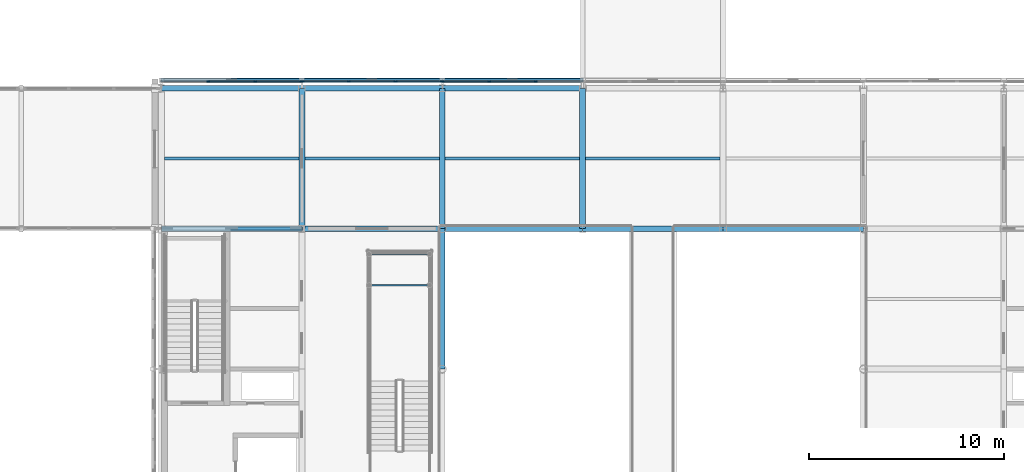
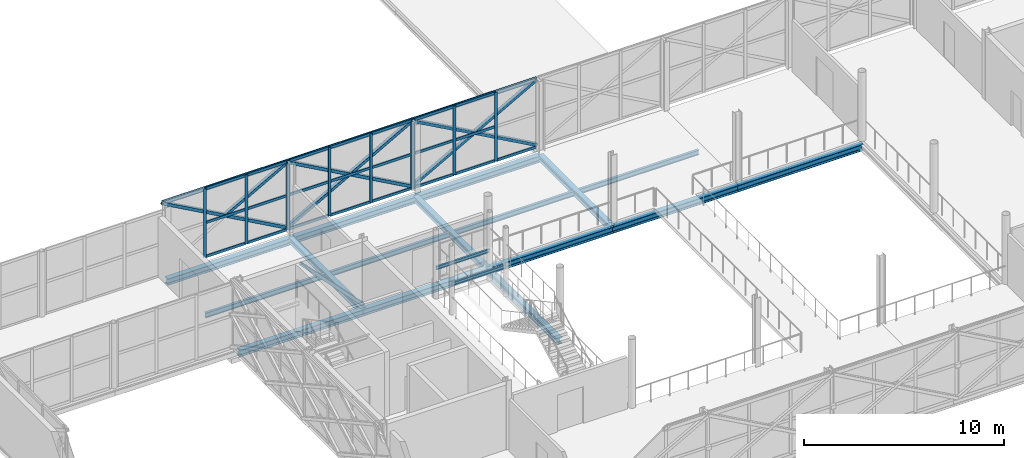
# One storey, part 33 of 126: 44 members, 18 beams, 3 elements without a shape of their own.
"""IFC4 building model written with IfcOpenShell, lengths in metres."""

from ifc_helpers import new_model, si_unit, direction, frame, origin, origin_2d, place, context, subcontext, project, spatial, rectangle, hollow_rectangle, i_section, extrude, material, material_profile, profile_set, type_object, element, aggregate, save


model = new_model("IFC4")

# Units and contexts
model_context = context("Model", 3, precision=1e-05, world=origin(), true_north=direction((0.0, 1.0)))
body_context = subcontext(model_context, "Body", "Model", "MODEL_VIEW")
ifc_project = project(units=[si_unit("LENGTHUNIT", "METRE"), si_unit("AREAUNIT", "SQUARE_METRE"), si_unit("VOLUMEUNIT", "CUBIC_METRE"), si_unit("PLANEANGLEUNIT", "RADIAN"), si_unit("MASSUNIT", "GRAM", prefix="KILO")], contexts=[model_context])

# Site, building, storey
site_placement = place(None, origin())
site = spatial("IfcSite", under=ifc_project, at=site_placement, CompositionType="ELEMENT")
building_placement = place(site_placement, origin())
building = spatial("IfcBuilding", under=site, at=building_placement, Name="Zlatovets Crest Museum", CompositionType="ELEMENT")
storey_placement = place(building_placement, frame((0.0, 0.0, 8.699951171875)))
storey = spatial("IfcBuildingStorey", under=building, at=storey_placement, Name="L02", CompositionType="ELEMENT", Elevation=8.699951171875)

# Beams
ifc_material_1 = material(Name="Structural steel S355J2", Category="steel")
ifc_material_profile_1 = material_profile(ifc_material_1, i_section(OverallWidth=0.300048828125, OverallDepth=0.389892578125, WebThickness=0.010986328125, FlangeThickness=0.01904296875, FilletRadius=0.027099609375, at=origin_2d()), Name="HEA 400")
ifc_profile_set_1 = profile_set([ifc_material_profile_1], Name="Structural steel S355J2")
beam_type_1 = type_object("IfcBeamType", Name="Beam_B-02", PredefinedType="BEAM", material=ifc_profile_set_1)
for number, where, z_axis, x_axis, name in (
    (1, (57.60009765625, 21.60009765625, -0.4150390625), (1.0, 0.0, 0.0), (0.0, 1.0, 0.0), "V2 L02 Primary Girder B-02"),
    (2, (64.800048828125, 21.60009765625, -0.4150390625), (1.0, 0.0, 0.0), (0.0, 1.0, 0.0), "V2 L02 Primary Girder B-02"),
    (3, (72.0, 21.60009765625, -0.4150390625), (1.0, 0.0, 0.0), (0.0, 1.0, 0.0), "V2 L02 Primary Girder B-02"),
    (4, (79.199951171875, 21.60009765625, -0.4150390625), (1.0, 0.0, 0.0), (0.0, 1.0, 0.0), "V2 L02 Primary Girder B-02"),
):
    element("IfcBeam", number, at=place(storey_placement, frame(where, z_axis=z_axis, x_axis=x_axis)), inside=storey, type_object=beam_type_1, Name=name, PredefinedType="BEAM", context=body_context, shape_type="SweptSolid", body=[
        extrude(i_section(OverallWidth=0.300048828125, OverallDepth=0.389892578125, WebThickness=0.010986328125, FlangeThickness=0.01904296875, FilletRadius=0.027099609375, at=origin_2d()), origin(), (0.0, 0.0, 1.0), 7.199951171875),
    ])
beam_1_placement = place(storey_placement, frame((86.39990234375, 21.60009765625, -0.4150390625), z_axis=(1.0, 0.0, 0.0), x_axis=(0.0, 1.0, 0.0)))
element("IfcBeam", 5, at=beam_1_placement, inside=storey, type_object=beam_type_1, Name="V2 L02 Primary Girder B-02", PredefinedType="BEAM", context=body_context, shape_type="SweptSolid", body=[
    extrude(i_section(OverallWidth=0.300048828125, OverallDepth=0.389892578125, WebThickness=0.010986328125, FlangeThickness=0.01904296875, FilletRadius=0.027099609375, at=origin_2d()), origin(), (0.0, 0.0, 1.0), 7.2001953125),
])
for number, where, z_axis, x_axis, name in (
    (6, (57.60009765625, 28.800048828125, -0.4150390625), (1.0, 0.0, 0.0), (0.0, 1.0, 0.0), "V2 L02 Primary Girder B-02"),
    (7, (64.800048828125, 28.800048828125, -0.4150390625), (1.0, 0.0, 0.0), (0.0, 1.0, 0.0), "V2 L02 Primary Girder B-02"),
    (8, (72.0, 28.800048828125, -0.4150390625), (1.0, 0.0, 0.0), (0.0, 1.0, 0.0), "V2 L02 Primary Girder B-02"),
):
    element("IfcBeam", number, at=place(storey_placement, frame(where, z_axis=z_axis, x_axis=x_axis)), inside=storey, type_object=beam_type_1, Name=name, PredefinedType="BEAM", context=body_context, shape_type="SweptSolid", body=[
        extrude(i_section(OverallWidth=0.300048828125, OverallDepth=0.389892578125, WebThickness=0.010986328125, FlangeThickness=0.01904296875, FilletRadius=0.027099609375, at=origin_2d()), origin(), (0.0, 0.0, 1.0), 7.199951171875),
    ])
ifc_material_profile_2 = material_profile(ifc_material_1, i_section(OverallWidth=0.300048828125, OverallDepth=0.35009765625, WebThickness=0.010009765625, FlangeThickness=0.017578125, FilletRadius=0.027099609375, at=origin_2d()), Name="HEA 360")
ifc_profile_set_2 = profile_set([ifc_material_profile_2], Name="Structural steel S355J2")
beam_type_2 = type_object("IfcBeamType", Name="Beam_B-03", PredefinedType="BEAM", material=ifc_profile_set_2)
beam_2_placement = place(storey_placement, frame((64.800048828125, 21.60009765625, -0.39501953125), z_axis=(0.0, 1.0, 0.0), x_axis=(-1.0, 0.0, 0.0)))
element("IfcBeam", 9, at=beam_2_placement, inside=storey, type_object=beam_type_2, Name="V2 L02 Grid Beam B-03", PredefinedType="BEAM", context=body_context, shape_type="SweptSolid", body=[
    extrude(i_section(OverallWidth=0.300048828125, OverallDepth=0.35009765625, WebThickness=0.010009765625, FlangeThickness=0.017578125, FilletRadius=0.027099609375, at=origin_2d()), origin(), (0.0, 0.0, 1.0), 7.199951171875),
])
beam_3_placement = place(storey_placement, frame((72.0, 14.39990234375, -0.39501953125), z_axis=(0.0, 1.0, 0.0), x_axis=(-1.0, 0.0, 0.0)))
element("IfcBeam", 10, at=beam_3_placement, inside=storey, type_object=beam_type_2, Name="V2 L02 Grid Beam B-03", PredefinedType="BEAM", context=body_context, shape_type="SweptSolid", body=[
    extrude(i_section(OverallWidth=0.300048828125, OverallDepth=0.35009765625, WebThickness=0.010009765625, FlangeThickness=0.017578125, FilletRadius=0.027099609375, at=origin_2d()), origin(), (0.0, 0.0, 1.0), 7.2001953125),
])
for number, where, z_axis, x_axis, name in (
    (11, (72.0, 21.60009765625, -0.39501953125), (0.0, 1.0, 0.0), (-1.0, 0.0, 0.0), "V2 L02 Grid Beam B-03"),
    (12, (79.199951171875, 21.60009765625, -0.39501953125), (0.0, 1.0, 0.0), (-1.0, 0.0, 0.0), "V2 L02 Grid Beam B-03"),
):
    element("IfcBeam", number, at=place(storey_placement, frame(where, z_axis=z_axis, x_axis=x_axis)), inside=storey, type_object=beam_type_2, Name=name, PredefinedType="BEAM", context=body_context, shape_type="SweptSolid", body=[
        extrude(i_section(OverallWidth=0.300048828125, OverallDepth=0.35009765625, WebThickness=0.010009765625, FlangeThickness=0.017578125, FilletRadius=0.027099609375, at=origin_2d()), origin(), (0.0, 0.0, 1.0), 7.199951171875),
    ])
ifc_material_profile_3 = material_profile(ifc_material_1, i_section(OverallWidth=0.14990234375, OverallDepth=0.300048828125, WebThickness=0.007080078125, FlangeThickness=0.0107421875, FilletRadius=0.014892578125, at=origin_2d()), Name="IPE 300")
ifc_profile_set_3 = profile_set([ifc_material_profile_3], Name="Structural steel S355J2")
beam_type_3 = type_object("IfcBeamType", Name="Beam_J-02", PredefinedType="JOIST", material=ifc_profile_set_3)
beam_4_placement = place(storey_placement, frame((57.75, 25.199951171875, -0.369873046875), z_axis=(1.0, 0.0, 0.0), x_axis=(0.0, 1.0, 0.0)))
element("IfcBeam", 13, at=beam_4_placement, inside=storey, type_object=beam_type_3, Name="V2 L02 Composite Joist J-02", PredefinedType="JOIST", context=body_context, shape_type="SweptSolid", body=[
    extrude(i_section(OverallWidth=0.14990234375, OverallDepth=0.300048828125, WebThickness=0.007080078125, FlangeThickness=0.0107421875, FilletRadius=0.014892578125, at=origin_2d()), origin(), (0.0, 0.0, 1.0), 6.89990234375),
])
for number, where, z_axis, x_axis, name in (
    (14, (64.949951171875, 25.199951171875, -0.369873046875), (1.0, 0.0, 0.0), (0.0, 1.0, 0.0), "V2 L02 Composite Joist J-02"),
    (15, (72.14990234375, 25.199951171875, -0.369873046875), (1.0, 0.0, 0.0), (0.0, 1.0, 0.0), "V2 L02 Composite Joist J-02"),
):
    element("IfcBeam", number, at=place(storey_placement, frame(where, z_axis=z_axis, x_axis=x_axis)), inside=storey, type_object=beam_type_3, Name=name, PredefinedType="JOIST", context=body_context, shape_type="SweptSolid", body=[
        extrude(i_section(OverallWidth=0.14990234375, OverallDepth=0.300048828125, WebThickness=0.007080078125, FlangeThickness=0.0107421875, FilletRadius=0.014892578125, at=origin_2d()), origin(), (0.0, 0.0, 1.0), 6.900146484375),
    ])
beam_5_placement = place(storey_placement, frame((79.35009765625, 25.199951171875, -0.369873046875), z_axis=(1.0, 0.0, 0.0), x_axis=(0.0, 1.0, 0.0)))
element("IfcBeam", 16, at=beam_5_placement, inside=storey, type_object=beam_type_3, Name="V2 L02 Composite Joist J-02", PredefinedType="JOIST", context=body_context, shape_type="SweptSolid", body=[
    extrude(i_section(OverallWidth=0.14990234375, OverallDepth=0.300048828125, WebThickness=0.007080078125, FlangeThickness=0.0107421875, FilletRadius=0.014892578125, at=origin_2d()), origin(), (0.0, 0.0, 1.0), 6.89990234375),
])
ifc_material_profile_4 = material_profile(ifc_material_1, i_section(OverallWidth=0.10009765625, OverallDepth=0.199951171875, WebThickness=0.005615234375, FlangeThickness=0.008544921875, FilletRadius=0.011962890625, at=origin_2d()), Name="IPE 200")
ifc_profile_set_4 = profile_set([ifc_material_profile_4], Name="Structural steel S355J2")
beam_type_4 = type_object("IfcBeamType", Name="Beam_PR-02", PredefinedType="LINTEL", material=ifc_profile_set_4)
for number, where, z_axis, x_axis, name in (
    (17, (68.25, 18.699951171875, 1.800048828125), (1.0, 0.0, 0.0), (0.0, 1.0, 0.0), "Atrium Stair L02 Landing Beam"),
    (18, (68.25, 20.300048828125, 1.800048828125), (1.0, 0.0, 0.0), (0.0, 1.0, 0.0), "Atrium Stair L02 Landing Beam"),
):
    element("IfcBeam", number, at=place(storey_placement, frame(where, z_axis=z_axis, x_axis=x_axis)), inside=storey, type_object=beam_type_4, Name=name, PredefinedType="LINTEL", context=body_context, shape_type="SweptSolid", body=[
        extrude(i_section(OverallWidth=0.10009765625, OverallDepth=0.199951171875, WebThickness=0.005615234375, FlangeThickness=0.008544921875, FilletRadius=0.011962890625, at=origin_2d()), origin(), (0.0, 0.0, 1.0), 3.10009765625),
    ])

# Curtain wall, members
ifc_material_2 = material(Name="Bronze-anodised aluminium and low-E triple glass", Category="aluminium")
curtain_wall_type_1 = type_object("IfcCurtainWallType", Name="CW_CW-V2-L02-M3", PredefinedType="NOTDEFINED", material=ifc_material_2)
curtain_wall_1_placement = place(storey_placement, origin())
curtain_wall_1 = element("IfcCurtainWall", 19, at=curtain_wall_1_placement, inside=storey, type_object=curtain_wall_type_1, Name="V2 L02 Secession Foyer Clear Curtain Wall", PredefinedType="NOTDEFINED")
ifc_material_3 = material(Name="Bronze-anodised aluminium EN AW-6060", Category="aluminium")
ifc_material_profile_5 = material_profile(ifc_material_3, rectangle(XDim=0.080078125, YDim=0.159912109375, at=origin_2d()), Name="ALU 80x160")
ifc_profile_set_5 = profile_set([ifc_material_profile_5], Name="Bronze-anodised aluminium EN AW-6060")
member_type_1 = type_object("IfcMemberType", Name="CWMull_M1", PredefinedType="MULLION", material=ifc_profile_set_5)
member_1_placement = place(storey_placement, frame((76.800048828125, 29.139892578125, 0.0), z_axis=(0.0, 0.0, 1.0), x_axis=(0.0, -1.0, 0.0)))
member_1 = element("IfcMember", 20, at=member_1_placement, type_object=member_type_1, Name="CW-V2-L02-M3 mullion 2", PredefinedType="MULLION", context=body_context, shape_type="SweptSolid", body=[
    extrude(rectangle(XDim=0.080078125, YDim=0.159912109375, at=origin_2d()), origin(), (0.0, 0.0, 1.0), 4.199951171875),
])
member_2_placement = place(storey_placement, frame((74.39990234375, 29.139892578125, 0.0), z_axis=(0.0, 0.0, 1.0), x_axis=(0.0, -1.0, 0.0)))
member_2 = element("IfcMember", 21, at=member_2_placement, type_object=member_type_1, Name="CW-V2-L02-M3 mullion 3", PredefinedType="MULLION", context=body_context, shape_type="SweptSolid", body=[
    extrude(rectangle(XDim=0.080078125, YDim=0.159912109375, at=origin_2d()), origin(), (0.0, 0.0, 1.0), 4.199951171875),
])
member_3_placement = place(storey_placement, frame((72.030029296875, 29.139892578125, 0.0), z_axis=(0.0, 0.0, 1.0), x_axis=(0.0, -1.0, 0.0)))
member_3 = element("IfcMember", 22, at=member_3_placement, type_object=member_type_1, Name="CW-V2-L02-M3 mullion 4", PredefinedType="MULLION", context=body_context, shape_type="SweptSolid", body=[
    extrude(rectangle(XDim=0.080078125, YDim=0.159912109375, at=origin_2d()), origin(), (0.0, 0.0, 1.0), 4.199951171875),
])

curtain_wall_type_2 = type_object("IfcCurtainWallType", Name="CW_CW-V2-L02-M0", PredefinedType="NOTDEFINED", material=ifc_material_2)
curtain_wall_2_placement = place(storey_placement, origin())
curtain_wall_2 = element("IfcCurtainWall", 23, at=curtain_wall_2_placement, inside=storey, type_object=curtain_wall_type_2, Name="V2 L02 Secession Foyer Clear Curtain Wall", PredefinedType="NOTDEFINED")
member_4_placement = place(storey_placement, frame((71.969970703125, 29.139892578125, 0.0), z_axis=(0.0, 0.0, 1.0), x_axis=(0.0, -1.0, 0.0)))
member_4 = element("IfcMember", 24, at=member_4_placement, type_object=member_type_1, Name="CW-V2-L02-M0 mullion 1", PredefinedType="MULLION", context=body_context, shape_type="SweptSolid", body=[
    extrude(rectangle(XDim=0.080078125, YDim=0.159912109375, at=origin_2d()), origin(), (0.0, 0.0, 1.0), 4.199951171875),
])
member_5_placement = place(storey_placement, frame((69.60009765625, 29.139892578125, 0.0), z_axis=(0.0, 0.0, 1.0), x_axis=(0.0, -1.0, 0.0)))
member_5 = element("IfcMember", 25, at=member_5_placement, type_object=member_type_1, Name="CW-V2-L02-M0 mullion 2", PredefinedType="MULLION", context=body_context, shape_type="SweptSolid", body=[
    extrude(rectangle(XDim=0.080078125, YDim=0.159912109375, at=origin_2d()), origin(), (0.0, 0.0, 1.0), 4.199951171875),
])
member_6_placement = place(storey_placement, frame((67.199951171875, 29.139892578125, 0.0), z_axis=(0.0, 0.0, 1.0), x_axis=(0.0, -1.0, 0.0)))
member_6 = element("IfcMember", 26, at=member_6_placement, type_object=member_type_1, Name="CW-V2-L02-M0 mullion 3", PredefinedType="MULLION", context=body_context, shape_type="SweptSolid", body=[
    extrude(rectangle(XDim=0.080078125, YDim=0.159912109375, at=origin_2d()), origin(), (0.0, 0.0, 1.0), 4.199951171875),
])
member_7_placement = place(storey_placement, frame((64.830078125, 29.139892578125, 0.0), z_axis=(0.0, 0.0, 1.0), x_axis=(0.0, -1.0, 0.0)))
member_7 = element("IfcMember", 27, at=member_7_placement, type_object=member_type_1, Name="CW-V2-L02-M0 mullion 4", PredefinedType="MULLION", context=body_context, shape_type="SweptSolid", body=[
    extrude(rectangle(XDim=0.080078125, YDim=0.159912109375, at=origin_2d()), origin(), (0.0, 0.0, 1.0), 4.199951171875),
])

curtain_wall_type_3 = type_object("IfcCurtainWallType", Name="CW_CW-V2-L02-M1", PredefinedType="NOTDEFINED", material=ifc_material_2)
curtain_wall_3_placement = place(storey_placement, origin())
curtain_wall_3 = element("IfcCurtainWall", 28, at=curtain_wall_3_placement, inside=storey, type_object=curtain_wall_type_3, Name="V2 L02 Secession Foyer Clear Curtain Wall", PredefinedType="NOTDEFINED")
member_8_placement = place(storey_placement, frame((64.77001953125, 29.139892578125, 0.0), z_axis=(0.0, 0.0, 1.0), x_axis=(0.0, -1.0, 0.0)))
member_8 = element("IfcMember", 29, at=member_8_placement, type_object=member_type_1, Name="CW-V2-L02-M1 mullion 1", PredefinedType="MULLION", context=body_context, shape_type="SweptSolid", body=[
    extrude(rectangle(XDim=0.080078125, YDim=0.159912109375, at=origin_2d()), origin(), (0.0, 0.0, 1.0), 4.199951171875),
])
member_9_placement = place(storey_placement, frame((62.39990234375, 29.139892578125, 0.0), z_axis=(0.0, 0.0, 1.0), x_axis=(0.0, -1.0, 0.0)))
member_9 = element("IfcMember", 30, at=member_9_placement, type_object=member_type_1, Name="CW-V2-L02-M1 mullion 2", PredefinedType="MULLION", context=body_context, shape_type="SweptSolid", body=[
    extrude(rectangle(XDim=0.080078125, YDim=0.159912109375, at=origin_2d()), origin(), (0.0, 0.0, 1.0), 4.199951171875),
])
member_10_placement = place(storey_placement, frame((60.0, 29.139892578125, 0.0), z_axis=(0.0, 0.0, 1.0), x_axis=(0.0, -1.0, 0.0)))
member_10 = element("IfcMember", 31, at=member_10_placement, type_object=member_type_1, Name="CW-V2-L02-M1 mullion 3", PredefinedType="MULLION", context=body_context, shape_type="SweptSolid", body=[
    extrude(rectangle(XDim=0.080078125, YDim=0.159912109375, at=origin_2d()), origin(), (0.0, 0.0, 1.0), 4.199951171875),
])

# Member
ifc_material_profile_6 = material_profile(ifc_material_3, rectangle(XDim=0.080078125, YDim=0.159912109375, at=origin_2d()), Name="ALU 80x160")
ifc_profile_set_6 = profile_set([ifc_material_profile_6], Name="Bronze-anodised aluminium EN AW-6060")
member_type_2 = type_object("IfcMemberType", Name="CWTrans_T1", PredefinedType="USERDEFINED", material=ifc_profile_set_6)
member_11_placement = place(storey_placement, frame((79.139892578125, 29.139892578125, 0.030029296875), z_axis=(-1.0, 0.0, 0.0), x_axis=(0.0, -1.0, 0.0)))
member_11 = element("IfcMember", 32, at=member_11_placement, type_object=member_type_2, Name="CW-V2-L02-M3 transom 1.1", ObjectType="TRANSOM", PredefinedType="USERDEFINED", context=body_context, shape_type="SweptSolid", body=[
    extrude(rectangle(XDim=0.080078125, YDim=0.159912109375, at=origin_2d()), origin(), (0.0, 0.0, 1.0), 2.309814453125),
])

member_12_placement = place(storey_placement, frame((76.77001953125, 29.139892578125, 0.030029296875), z_axis=(-1.0, 0.0, 0.0), x_axis=(0.0, -1.0, 0.0)))
member_12 = element("IfcMember", 33, at=member_12_placement, type_object=member_type_2, Name="CW-V2-L02-M3 transom 2.1", ObjectType="TRANSOM", PredefinedType="USERDEFINED", context=body_context, shape_type="SweptSolid", body=[
    extrude(rectangle(XDim=0.080078125, YDim=0.159912109375, at=origin_2d()), origin(), (0.0, 0.0, 1.0), 2.340087890625),
])

member_13_placement = place(storey_placement, frame((76.77001953125, 29.139892578125, 2.10009765625), z_axis=(-1.0, 0.0, 0.0), x_axis=(0.0, -1.0, 0.0)))
member_13 = element("IfcMember", 34, at=member_13_placement, type_object=member_type_2, Name="CW-V2-L02-M3 transom 2.2", ObjectType="TRANSOM", PredefinedType="USERDEFINED", context=body_context, shape_type="SweptSolid", body=[
    extrude(rectangle(XDim=0.080078125, YDim=0.159912109375, at=origin_2d()), origin(), (0.0, 0.0, 1.0), 2.340087890625),
])

member_14_placement = place(storey_placement, frame((76.77001953125, 29.139892578125, 4.170166015625), z_axis=(-1.0, 0.0, 0.0), x_axis=(0.0, -1.0, 0.0)))
member_14 = element("IfcMember", 35, at=member_14_placement, type_object=member_type_2, Name="CW-V2-L02-M3 transom 2.3", ObjectType="TRANSOM", PredefinedType="USERDEFINED", context=body_context, shape_type="SweptSolid", body=[
    extrude(rectangle(XDim=0.080078125, YDim=0.159912109375, at=origin_2d()), origin(), (0.0, 0.0, 1.0), 2.340087890625),
])

member_15_placement = place(storey_placement, frame((74.3701171875, 29.139892578125, 0.030029296875), z_axis=(-1.0, 0.0, 0.0), x_axis=(0.0, -1.0, 0.0)))
member_15 = element("IfcMember", 36, at=member_15_placement, type_object=member_type_2, Name="CW-V2-L02-M3 transom 3.1", ObjectType="TRANSOM", PredefinedType="USERDEFINED", context=body_context, shape_type="SweptSolid", body=[
    extrude(rectangle(XDim=0.080078125, YDim=0.159912109375, at=origin_2d()), origin(), (0.0, 0.0, 1.0), 2.31005859375),
])

member_16_placement = place(storey_placement, frame((74.3701171875, 29.139892578125, 2.10009765625), z_axis=(-1.0, 0.0, 0.0), x_axis=(0.0, -1.0, 0.0)))
member_16 = element("IfcMember", 37, at=member_16_placement, type_object=member_type_2, Name="CW-V2-L02-M3 transom 3.2", ObjectType="TRANSOM", PredefinedType="USERDEFINED", context=body_context, shape_type="SweptSolid", body=[
    extrude(rectangle(XDim=0.080078125, YDim=0.159912109375, at=origin_2d()), origin(), (0.0, 0.0, 1.0), 2.31005859375),
])

member_17_placement = place(storey_placement, frame((74.3701171875, 29.139892578125, 4.170166015625), z_axis=(-1.0, 0.0, 0.0), x_axis=(0.0, -1.0, 0.0)))
member_17 = element("IfcMember", 38, at=member_17_placement, type_object=member_type_2, Name="CW-V2-L02-M3 transom 3.3", ObjectType="TRANSOM", PredefinedType="USERDEFINED", context=body_context, shape_type="SweptSolid", body=[
    extrude(rectangle(XDim=0.080078125, YDim=0.159912109375, at=origin_2d()), origin(), (0.0, 0.0, 1.0), 2.31005859375),
])

aggregate(curtain_wall_1, [member_1, member_2, member_3, member_11, member_12, member_13, member_14, member_15, member_16, member_17])

member_18_placement = place(storey_placement, frame((71.93994140625, 29.139892578125, 0.030029296875), z_axis=(-1.0, 0.0, 0.0), x_axis=(0.0, -1.0, 0.0)))
member_18 = element("IfcMember", 39, at=member_18_placement, type_object=member_type_2, Name="CW-V2-L02-M0 transom 1.1", ObjectType="TRANSOM", PredefinedType="USERDEFINED", context=body_context, shape_type="SweptSolid", body=[
    extrude(rectangle(XDim=0.080078125, YDim=0.159912109375, at=origin_2d()), origin(), (0.0, 0.0, 1.0), 2.31005859375),
])

member_19_placement = place(storey_placement, frame((71.93994140625, 29.139892578125, 2.10009765625), z_axis=(-1.0, 0.0, 0.0), x_axis=(0.0, -1.0, 0.0)))
member_19 = element("IfcMember", 40, at=member_19_placement, type_object=member_type_2, Name="CW-V2-L02-M0 transom 1.2", ObjectType="TRANSOM", PredefinedType="USERDEFINED", context=body_context, shape_type="SweptSolid", body=[
    extrude(rectangle(XDim=0.080078125, YDim=0.159912109375, at=origin_2d()), origin(), (0.0, 0.0, 1.0), 2.31005859375),
])

member_20_placement = place(storey_placement, frame((71.93994140625, 29.139892578125, 4.170166015625), z_axis=(-1.0, 0.0, 0.0), x_axis=(0.0, -1.0, 0.0)))
member_20 = element("IfcMember", 41, at=member_20_placement, type_object=member_type_2, Name="CW-V2-L02-M0 transom 1.3", ObjectType="TRANSOM", PredefinedType="USERDEFINED", context=body_context, shape_type="SweptSolid", body=[
    extrude(rectangle(XDim=0.080078125, YDim=0.159912109375, at=origin_2d()), origin(), (0.0, 0.0, 1.0), 2.31005859375),
])

member_21_placement = place(storey_placement, frame((69.570068359375, 29.139892578125, 0.030029296875), z_axis=(-1.0, 0.0, 0.0), x_axis=(0.0, -1.0, 0.0)))
member_21 = element("IfcMember", 42, at=member_21_placement, type_object=member_type_2, Name="CW-V2-L02-M0 transom 2.1", ObjectType="TRANSOM", PredefinedType="USERDEFINED", context=body_context, shape_type="SweptSolid", body=[
    extrude(rectangle(XDim=0.080078125, YDim=0.159912109375, at=origin_2d()), origin(), (0.0, 0.0, 1.0), 2.340087890625),
])

member_22_placement = place(storey_placement, frame((69.570068359375, 29.139892578125, 2.10009765625), z_axis=(-1.0, 0.0, 0.0), x_axis=(0.0, -1.0, 0.0)))
member_22 = element("IfcMember", 43, at=member_22_placement, type_object=member_type_2, Name="CW-V2-L02-M0 transom 2.2", ObjectType="TRANSOM", PredefinedType="USERDEFINED", context=body_context, shape_type="SweptSolid", body=[
    extrude(rectangle(XDim=0.080078125, YDim=0.159912109375, at=origin_2d()), origin(), (0.0, 0.0, 1.0), 2.340087890625),
])

member_23_placement = place(storey_placement, frame((69.570068359375, 29.139892578125, 4.170166015625), z_axis=(-1.0, 0.0, 0.0), x_axis=(0.0, -1.0, 0.0)))
member_23 = element("IfcMember", 44, at=member_23_placement, type_object=member_type_2, Name="CW-V2-L02-M0 transom 2.3", ObjectType="TRANSOM", PredefinedType="USERDEFINED", context=body_context, shape_type="SweptSolid", body=[
    extrude(rectangle(XDim=0.080078125, YDim=0.159912109375, at=origin_2d()), origin(), (0.0, 0.0, 1.0), 2.340087890625),
])

member_24_placement = place(storey_placement, frame((67.169921875, 29.139892578125, 0.030029296875), z_axis=(-1.0, 0.0, 0.0), x_axis=(0.0, -1.0, 0.0)))
member_24 = element("IfcMember", 45, at=member_24_placement, type_object=member_type_2, Name="CW-V2-L02-M0 transom 3.1", ObjectType="TRANSOM", PredefinedType="USERDEFINED", context=body_context, shape_type="SweptSolid", body=[
    extrude(rectangle(XDim=0.080078125, YDim=0.159912109375, at=origin_2d()), origin(), (0.0, 0.0, 1.0), 2.309814453125),
])

member_25_placement = place(storey_placement, frame((67.169921875, 29.139892578125, 2.10009765625), z_axis=(-1.0, 0.0, 0.0), x_axis=(0.0, -1.0, 0.0)))
member_25 = element("IfcMember", 46, at=member_25_placement, type_object=member_type_2, Name="CW-V2-L02-M0 transom 3.2", ObjectType="TRANSOM", PredefinedType="USERDEFINED", context=body_context, shape_type="SweptSolid", body=[
    extrude(rectangle(XDim=0.080078125, YDim=0.159912109375, at=origin_2d()), origin(), (0.0, 0.0, 1.0), 2.309814453125),
])

member_26_placement = place(storey_placement, frame((67.169921875, 29.139892578125, 4.170166015625), z_axis=(-1.0, 0.0, 0.0), x_axis=(0.0, -1.0, 0.0)))
member_26 = element("IfcMember", 47, at=member_26_placement, type_object=member_type_2, Name="CW-V2-L02-M0 transom 3.3", ObjectType="TRANSOM", PredefinedType="USERDEFINED", context=body_context, shape_type="SweptSolid", body=[
    extrude(rectangle(XDim=0.080078125, YDim=0.159912109375, at=origin_2d()), origin(), (0.0, 0.0, 1.0), 2.309814453125),
])

aggregate(curtain_wall_2, [member_4, member_5, member_6, member_7, member_18, member_19, member_20, member_21, member_22, member_23, member_24, member_25, member_26])

member_27_placement = place(storey_placement, frame((64.739990234375, 29.139892578125, 0.030029296875), z_axis=(-1.0, 0.0, 0.0), x_axis=(0.0, -1.0, 0.0)))
member_27 = element("IfcMember", 48, at=member_27_placement, type_object=member_type_2, Name="CW-V2-L02-M1 transom 1.1", ObjectType="TRANSOM", PredefinedType="USERDEFINED", context=body_context, shape_type="SweptSolid", body=[
    extrude(rectangle(XDim=0.080078125, YDim=0.159912109375, at=origin_2d()), origin(), (0.0, 0.0, 1.0), 2.31005859375),
])

member_28_placement = place(storey_placement, frame((64.739990234375, 29.139892578125, 2.10009765625), z_axis=(-1.0, 0.0, 0.0), x_axis=(0.0, -1.0, 0.0)))
member_28 = element("IfcMember", 49, at=member_28_placement, type_object=member_type_2, Name="CW-V2-L02-M1 transom 1.2", ObjectType="TRANSOM", PredefinedType="USERDEFINED", context=body_context, shape_type="SweptSolid", body=[
    extrude(rectangle(XDim=0.080078125, YDim=0.159912109375, at=origin_2d()), origin(), (0.0, 0.0, 1.0), 2.31005859375),
])

member_29_placement = place(storey_placement, frame((64.739990234375, 29.139892578125, 4.170166015625), z_axis=(-1.0, 0.0, 0.0), x_axis=(0.0, -1.0, 0.0)))
member_29 = element("IfcMember", 50, at=member_29_placement, type_object=member_type_2, Name="CW-V2-L02-M1 transom 1.3", ObjectType="TRANSOM", PredefinedType="USERDEFINED", context=body_context, shape_type="SweptSolid", body=[
    extrude(rectangle(XDim=0.080078125, YDim=0.159912109375, at=origin_2d()), origin(), (0.0, 0.0, 1.0), 2.31005859375),
])

member_30_placement = place(storey_placement, frame((62.3701171875, 29.139892578125, 0.030029296875), z_axis=(-1.0, 0.0, 0.0), x_axis=(0.0, -1.0, 0.0)))
member_30 = element("IfcMember", 51, at=member_30_placement, type_object=member_type_2, Name="CW-V2-L02-M1 transom 2.1", ObjectType="TRANSOM", PredefinedType="USERDEFINED", context=body_context, shape_type="SweptSolid", body=[
    extrude(rectangle(XDim=0.080078125, YDim=0.159912109375, at=origin_2d()), origin(), (0.0, 0.0, 1.0), 2.340087890625),
])

member_31_placement = place(storey_placement, frame((62.3701171875, 29.139892578125, 2.10009765625), z_axis=(-1.0, 0.0, 0.0), x_axis=(0.0, -1.0, 0.0)))
member_31 = element("IfcMember", 52, at=member_31_placement, type_object=member_type_2, Name="CW-V2-L02-M1 transom 2.2", ObjectType="TRANSOM", PredefinedType="USERDEFINED", context=body_context, shape_type="SweptSolid", body=[
    extrude(rectangle(XDim=0.080078125, YDim=0.159912109375, at=origin_2d()), origin(), (0.0, 0.0, 1.0), 2.340087890625),
])

member_32_placement = place(storey_placement, frame((62.3701171875, 29.139892578125, 4.170166015625), z_axis=(-1.0, 0.0, 0.0), x_axis=(0.0, -1.0, 0.0)))
member_32 = element("IfcMember", 53, at=member_32_placement, type_object=member_type_2, Name="CW-V2-L02-M1 transom 2.3", ObjectType="TRANSOM", PredefinedType="USERDEFINED", context=body_context, shape_type="SweptSolid", body=[
    extrude(rectangle(XDim=0.080078125, YDim=0.159912109375, at=origin_2d()), origin(), (0.0, 0.0, 1.0), 2.340087890625),
])

aggregate(curtain_wall_3, [member_8, member_9, member_10, member_27, member_28, member_29, member_30, member_31, member_32])

# Members
ifc_material_4 = material(Name="Weathering bronze-steel S355J2W", Category="steel")
ifc_material_profile_7 = material_profile(ifc_material_4, hollow_rectangle(XDim=0.199951171875, YDim=0.199951171875, WallThickness=0.012451171875, InnerFilletRadius=0.012451171875, OuterFilletRadius=0.02490234375, at=origin_2d()), Name="SHS 200x200x12.5")
ifc_profile_set_7 = profile_set([ifc_material_profile_7], Name="Weathering bronze-steel S355J2W")
member_type_3 = type_object("IfcMemberType", Name="Lattice_XL-02", PredefinedType="BRACE", material=ifc_profile_set_7)
member_33_placement = place(storey_placement, frame((79.199951171875, 29.219970703125, 0.10009765625), z_axis=(-0.874155877937, 0.0, 0.485645447903), x_axis=(0.0, -1.0, 0.0)))
element("IfcMember", 54, at=member_33_placement, inside=storey, type_object=member_type_3, Name="Continuous Bronze Lattice Diagonal", PredefinedType="BRACE", context=body_context, shape_type="SweptSolid", body=[
    extrude(hollow_rectangle(XDim=0.199951171875, YDim=0.199951171875, WallThickness=0.012451171875, InnerFilletRadius=0.012451171875, OuterFilletRadius=0.02490234375, at=origin_2d()), origin(), (0.0, 0.0, 1.0), 8.236572265625),
])
member_34_placement = place(storey_placement, frame((79.199951171875, 29.219970703125, 4.10009765625), z_axis=(-0.874151551165, 0.0, -0.485653235958), x_axis=(0.0, -1.0, 0.0)))
element("IfcMember", 55, at=member_34_placement, inside=storey, type_object=member_type_3, Name="Split Crossing Bronze Lattice Diagonal Upper", PredefinedType="BRACE", context=body_context, shape_type="SweptSolid", body=[
    extrude(hollow_rectangle(XDim=0.199951171875, YDim=0.199951171875, WallThickness=0.012451171875, InnerFilletRadius=0.012451171875, OuterFilletRadius=0.02490234375, at=origin_2d()), origin(), (0.0, 0.0, 1.0), 4.023193359375),
])
member_35_placement = place(storey_placement, frame((75.51708984375, 29.219970703125, 2.053955078125), z_axis=(-0.874165862873, 0.0, -0.485627474703), x_axis=(0.0, -1.0, 0.0)))
element("IfcMember", 56, at=member_35_placement, inside=storey, type_object=member_type_3, Name="Split Crossing Bronze Lattice Diagonal Lower", PredefinedType="BRACE", context=body_context, shape_type="SweptSolid", body=[
    extrude(hollow_rectangle(XDim=0.199951171875, YDim=0.199951171875, WallThickness=0.012451171875, InnerFilletRadius=0.012451171875, OuterFilletRadius=0.02490234375, at=origin_2d()), origin(), (0.0, 0.0, 1.0), 4.0234375),
])
member_36_placement = place(storey_placement, frame((72.0, 29.219970703125, 0.10009765625), z_axis=(-0.874155877937, 0.0, 0.485645447903), x_axis=(0.0, -1.0, 0.0)))
element("IfcMember", 57, at=member_36_placement, inside=storey, type_object=member_type_3, Name="Continuous Bronze Lattice Diagonal", PredefinedType="BRACE", context=body_context, shape_type="SweptSolid", body=[
    extrude(hollow_rectangle(XDim=0.199951171875, YDim=0.199951171875, WallThickness=0.012451171875, InnerFilletRadius=0.012451171875, OuterFilletRadius=0.02490234375, at=origin_2d()), origin(), (0.0, 0.0, 1.0), 8.236572265625),
])
member_37_placement = place(storey_placement, frame((72.0, 29.219970703125, 4.10009765625), z_axis=(-0.874165862873, 0.0, -0.485627474703), x_axis=(0.0, -1.0, 0.0)))
element("IfcMember", 58, at=member_37_placement, inside=storey, type_object=member_type_3, Name="Split Crossing Bronze Lattice Diagonal Upper", PredefinedType="BRACE", context=body_context, shape_type="SweptSolid", body=[
    extrude(hollow_rectangle(XDim=0.199951171875, YDim=0.199951171875, WallThickness=0.012451171875, InnerFilletRadius=0.012451171875, OuterFilletRadius=0.02490234375, at=origin_2d()), origin(), (0.0, 0.0, 1.0), 4.0234375),
])
member_38_placement = place(storey_placement, frame((68.31689453125, 29.219970703125, 2.053955078125), z_axis=(-0.874151551165, 0.0, -0.485653235958), x_axis=(0.0, -1.0, 0.0)))
element("IfcMember", 59, at=member_38_placement, inside=storey, type_object=member_type_3, Name="Split Crossing Bronze Lattice Diagonal Lower", PredefinedType="BRACE", context=body_context, shape_type="SweptSolid", body=[
    extrude(hollow_rectangle(XDim=0.199951171875, YDim=0.199951171875, WallThickness=0.012451171875, InnerFilletRadius=0.012451171875, OuterFilletRadius=0.02490234375, at=origin_2d()), origin(), (0.0, 0.0, 1.0), 4.023193359375),
])
member_39_placement = place(storey_placement, frame((64.800048828125, 29.219970703125, 0.10009765625), z_axis=(-0.874155877937, 0.0, 0.485645447903), x_axis=(0.0, -1.0, 0.0)))
element("IfcMember", 60, at=member_39_placement, inside=storey, type_object=member_type_3, Name="Continuous Bronze Lattice Diagonal", PredefinedType="BRACE", context=body_context, shape_type="SweptSolid", body=[
    extrude(hollow_rectangle(XDim=0.199951171875, YDim=0.199951171875, WallThickness=0.012451171875, InnerFilletRadius=0.012451171875, OuterFilletRadius=0.02490234375, at=origin_2d()), origin(), (0.0, 0.0, 1.0), 8.236572265625),
])
member_40_placement = place(storey_placement, frame((64.800048828125, 29.219970703125, 4.10009765625), z_axis=(-0.874165862873, 0.0, -0.485627474703), x_axis=(0.0, -1.0, 0.0)))
element("IfcMember", 61, at=member_40_placement, inside=storey, type_object=member_type_3, Name="Split Crossing Bronze Lattice Diagonal Upper", PredefinedType="BRACE", context=body_context, shape_type="SweptSolid", body=[
    extrude(hollow_rectangle(XDim=0.199951171875, YDim=0.199951171875, WallThickness=0.012451171875, InnerFilletRadius=0.012451171875, OuterFilletRadius=0.02490234375, at=origin_2d()), origin(), (0.0, 0.0, 1.0), 4.0234375),
])
ifc_material_profile_8 = material_profile(ifc_material_4, hollow_rectangle(XDim=0.1201171875, YDim=0.239990234375, WallThickness=0.010009765625, InnerFilletRadius=0.010009765625, OuterFilletRadius=0.02001953125, at=origin_2d()), Name="RHS 120x240x10.0")
ifc_profile_set_8 = profile_set([ifc_material_profile_8], Name="Weathering bronze-steel S355J2W")
member_type_4 = type_object("IfcMemberType", Name="Lattice_XL-04", PredefinedType="CHORD", material=ifc_profile_set_8)
for number, where, z_axis, x_axis, name in (
    (62, (79.199951171875, 29.219970703125, 4.10009765625), (-1.0, 0.0, 0.0), (0.0, -1.0, 0.0), "Art Nouveau Woven Cage Collector Ring Chord"),
    (63, (72.0, 29.219970703125, 4.10009765625), (-1.0, 0.0, 0.0), (0.0, -1.0, 0.0), "Art Nouveau Woven Cage Collector Ring Chord"),
    (64, (64.800048828125, 29.219970703125, 4.10009765625), (-1.0, 0.0, 0.0), (0.0, -1.0, 0.0), "Art Nouveau Woven Cage Collector Ring Chord"),
):
    element("IfcMember", number, at=place(storey_placement, frame(where, z_axis=z_axis, x_axis=x_axis)), inside=storey, type_object=member_type_4, Name=name, PredefinedType="CHORD", context=body_context, shape_type="SweptSolid", body=[
        extrude(hollow_rectangle(XDim=0.1201171875, YDim=0.239990234375, WallThickness=0.010009765625, InnerFilletRadius=0.010009765625, OuterFilletRadius=0.02001953125, at=origin_2d()), origin(), (0.0, 0.0, 1.0), 7.199951171875),
    ])
ifc_material_profile_9 = material_profile(ifc_material_1, hollow_rectangle(XDim=0.179931640625, YDim=0.179931640625, WallThickness=0.010009765625, InnerFilletRadius=0.010009765625, OuterFilletRadius=0.02001953125, at=origin_2d()), Name="SHS 180x180x10.0")
ifc_profile_set_9 = profile_set([ifc_material_profile_9], Name="Structural steel S355J2")
member_type_5 = type_object("IfcMemberType", Name="Member_BR-02", PredefinedType="BRACE", material=ifc_profile_set_9)
member_41_placement = place(storey_placement, frame((64.800048828125, 21.60009765625, 0.0), z_axis=(-0.692541604294, 0.0, 0.721377935844), x_axis=(0.0, -1.0, 0.0)))
element("IfcMember", 65, at=member_41_placement, inside=storey, type_object=member_type_5, Name="V2 L02 Concentric Seismic Brace", PredefinedType="BRACE", context=body_context, shape_type="SweptSolid", body=[
    extrude(hollow_rectangle(XDim=0.179931640625, YDim=0.179931640625, WallThickness=0.010009765625, InnerFilletRadius=0.010009765625, OuterFilletRadius=0.02001953125, at=origin_2d()), origin(), (0.0, 0.0, 1.0), 5.198486328125),
])

save(model, "model.ifc")
